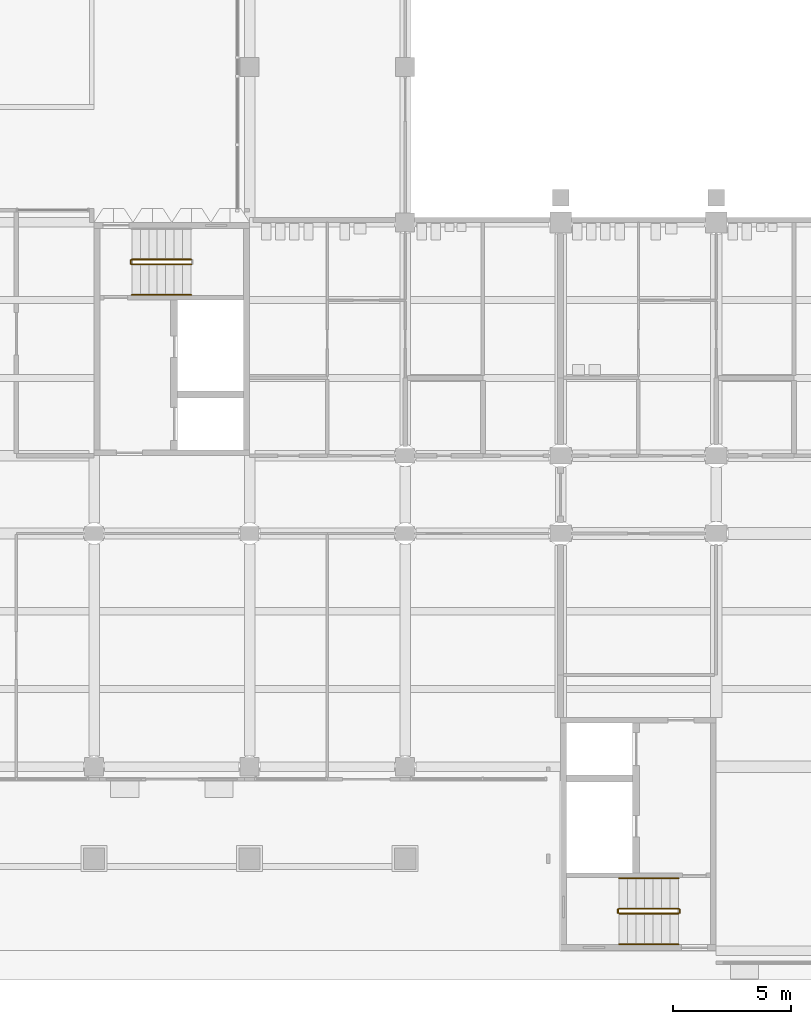
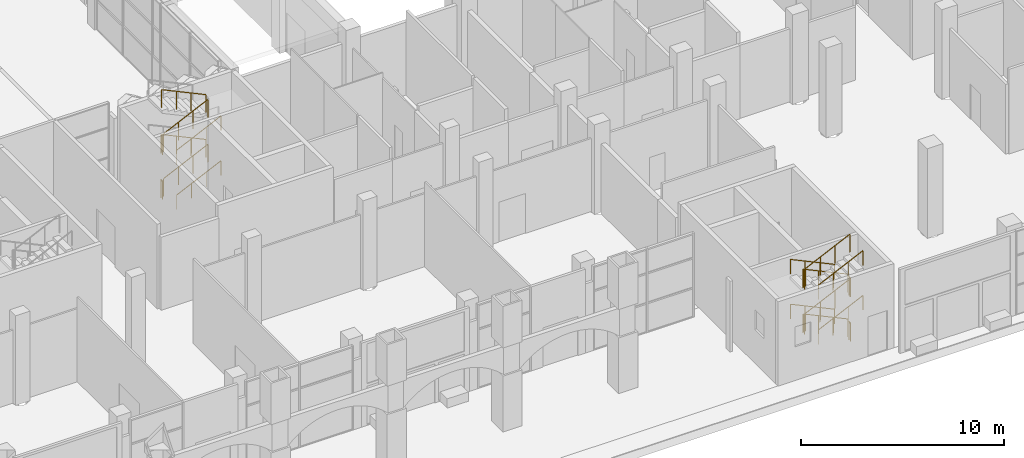
# One storey, part 50 of 85: 20 railings.
"""IFC4 building model written with IfcOpenShell, lengths in metres."""

from ifc_helpers import new_model, si_unit, direction, frame, origin, origin_2d, place, context, subcontext, project, spatial, circle, extrude, material, type_object, element, save


model = new_model("IFC4")

# Units and contexts
model_context = context("Model", 3, precision=1e-05, world=origin(), true_north=direction((0.0, 1.0)))
body_context = subcontext(model_context, "Body", "Model", "MODEL_VIEW")
ifc_project = project(units=[si_unit("LENGTHUNIT", "METRE"), si_unit("AREAUNIT", "SQUARE_METRE"), si_unit("VOLUMEUNIT", "CUBIC_METRE"), si_unit("PLANEANGLEUNIT", "RADIAN"), si_unit("MASSUNIT", "GRAM", prefix="KILO")], contexts=[model_context])

# Site, building, storey
site_placement = place(None, origin())
site = spatial("IfcSite", under=ifc_project, at=site_placement, CompositionType="ELEMENT")
building_placement = place(site_placement, origin())
building = spatial("IfcBuilding", under=site, at=building_placement, Name="Lantern Court Research Institute", CompositionType="ELEMENT")
storey_placement = place(building_placement, origin())
storey = spatial("IfcBuildingStorey", under=building, at=storey_placement, Name="L00", CompositionType="ELEMENT", Elevation=0.0)

# Railings
ifc_material_1 = material(Name="Structural steel S355", Category="steel")
railing_type_1 = type_object("IfcRailingType", Name="Stair guard 1100 steel", PredefinedType="GUARDRAIL", material=ifc_material_1)
railing_1_placement = place(storey_placement, frame((34.60009765625, 21.324951171875, 0.168701171875)))
element("IfcRailing", 1, at=railing_1_placement, inside=storey, type_object=railing_type_1, Name="L00 ST-B3 stair guard 1", PredefinedType="GUARDRAIL", context=body_context, shape_type="SweptSolid", body=[
    extrude(circle(Radius=0.02392578125, at=origin_2d()), frame((0.0, 0.0, 1.076171875), z_axis=(0.905439972488, 0.0, 0.424474329284), x_axis=(0.0, 1.0, 0.0)), (0.0, 0.0, 1.0), 2.783203125),
    extrude(circle(Radius=0.02099609375, at=origin_2d()), origin(), (0.0, 0.0, 1.0), 1.052001953125),
    extrude(circle(Radius=0.02099609375, at=origin_2d()), frame((0.840087890625, 0.0, 0.393798828125)), (0.0, 0.0, 1.0), 1.052001953125),
    extrude(circle(Radius=0.02099609375, at=origin_2d()), frame((1.679931640625, 0.0, 0.78759765625)), (0.0, 0.0, 1.0), 1.052001953125),
    extrude(circle(Radius=0.02099609375, at=origin_2d()), frame((2.52001953125, 0.0, 1.181396484375)), (0.0, 0.0, 1.0), 1.052001953125),
])
railing_2_placement = place(storey_placement, frame((37.1201171875, 21.52490234375, 1.518798828125)))
element("IfcRailing", 2, at=railing_2_placement, inside=storey, type_object=railing_type_1, Name="L00 ST-B3 stair guard 3", PredefinedType="GUARDRAIL", context=body_context, shape_type="SweptSolid", body=[
    extrude(circle(Radius=0.02392578125, at=origin_2d()), frame((0.0, 0.0, 1.076171875), z_axis=(-0.905473684625, 0.0, 0.424402410988), x_axis=(0.0, -1.0, 0.0)), (0.0, 0.0, 1.0), 2.783203125),
    extrude(circle(Radius=0.02099609375, at=origin_2d()), origin(), (0.0, 0.0, 1.0), 1.052001953125),
    extrude(circle(Radius=0.02099609375, at=origin_2d()), frame((-0.840087890625, 0.0, 0.393798828125)), (0.0, 0.0, 1.0), 1.052001953125),
    extrude(circle(Radius=0.02099609375, at=origin_2d()), frame((-1.679931640625, 0.0, 0.787353515625)), (0.0, 0.0, 1.0), 1.052001953125),
    extrude(circle(Radius=0.02099609375, at=origin_2d()), frame((-2.52001953125, 0.0, 1.18115234375)), (0.0, 0.0, 1.0), 1.052001953125),
])
railing_3_placement = place(storey_placement, frame((34.550048828125, 21.35009765625, 2.699951171875)))
element("IfcRailing", 3, at=railing_3_placement, inside=storey, type_object=railing_type_1, Name="L00 ST-B3 stair guard 4", PredefinedType="GUARDRAIL", context=body_context, shape_type="SweptSolid", body=[
    extrude(circle(Radius=0.02392578125, at=origin_2d()), frame((0.0, 0.0, 1.076171875), z_axis=(0.0, 1.0, 0.0), x_axis=(-1.0, 0.0, 0.0)), (0.0, 0.0, 1.0), 0.14990234375),
    extrude(circle(Radius=0.02099609375, at=origin_2d()), origin(), (0.0, 0.0, 1.0), 1.052001953125),
    extrude(circle(Radius=0.02099609375, at=origin_2d()), frame((0.0, 0.14990234375, 0.0)), (0.0, 0.0, 1.0), 1.052001953125),
])
railing_4_placement = place(storey_placement, frame((34.60009765625, 21.324951171875, 2.86865234375)))
element("IfcRailing", 4, at=railing_4_placement, inside=storey, type_object=railing_type_1, Name="L00 ST-B3 stair guard 5", PredefinedType="GUARDRAIL", context=body_context, shape_type="SweptSolid", body=[
    extrude(circle(Radius=0.02392578125, at=origin_2d()), frame((0.0, 0.0, 1.076171875), z_axis=(0.905439972488, 0.0, 0.424474329284), x_axis=(0.0, 1.0, 0.0)), (0.0, 0.0, 1.0), 2.783203125),
    extrude(circle(Radius=0.02099609375, at=origin_2d()), origin(), (0.0, 0.0, 1.0), 1.052001953125),
    extrude(circle(Radius=0.02099609375, at=origin_2d()), frame((0.840087890625, 0.0, 0.393798828125)), (0.0, 0.0, 1.0), 1.052001953125),
    extrude(circle(Radius=0.02099609375, at=origin_2d()), frame((1.679931640625, 0.0, 0.78759765625)), (0.0, 0.0, 1.0), 1.052001953125),
    extrude(circle(Radius=0.02099609375, at=origin_2d()), frame((2.52001953125, 0.0, 1.181396484375)), (0.0, 0.0, 1.0), 1.052001953125),
])
railing_5_placement = place(storey_placement, frame((37.1201171875, 21.52490234375, 4.21875)))
element("IfcRailing", 5, at=railing_5_placement, inside=storey, type_object=railing_type_1, Name="L00 ST-B3 stair guard 7", PredefinedType="GUARDRAIL", context=body_context, shape_type="SweptSolid", body=[
    extrude(circle(Radius=0.02392578125, at=origin_2d()), frame((0.0, 0.0, 1.076171875), z_axis=(-0.905473684625, 0.0, 0.424402410988), x_axis=(0.0, -1.0, 0.0)), (0.0, 0.0, 1.0), 2.783203125),
    extrude(circle(Radius=0.02099609375, at=origin_2d()), origin(), (0.0, 0.0, 1.0), 1.052001953125),
    extrude(circle(Radius=0.02099609375, at=origin_2d()), frame((-0.840087890625, 0.0, 0.393798828125)), (0.0, 0.0, 1.0), 1.052001953125),
    extrude(circle(Radius=0.02099609375, at=origin_2d()), frame((-1.679931640625, 0.0, 0.787353515625)), (0.0, 0.0, 1.0), 1.052001953125),
    extrude(circle(Radius=0.02099609375, at=origin_2d()), frame((-2.52001953125, 0.0, 1.18115234375)), (0.0, 0.0, 1.0), 1.052001953125),
])
railing_6_placement = place(storey_placement, frame((34.550048828125, 21.35009765625, 0.0)))
element("IfcRailing", 6, at=railing_6_placement, inside=storey, type_object=railing_type_1, Name="L00 ST-B3 stair guard 8", PredefinedType="GUARDRAIL", context=body_context, shape_type="SweptSolid", body=[
    extrude(circle(Radius=0.02392578125, at=origin_2d()), frame((0.0, 0.0, 1.076171875), z_axis=(0.0, 1.0, 0.0), x_axis=(-1.0, 0.0, 0.0)), (0.0, 0.0, 1.0), 0.14990234375),
    extrude(circle(Radius=0.02099609375, at=origin_2d()), origin(), (0.0, 0.0, 1.0), 1.052001953125),
    extrude(circle(Radius=0.02099609375, at=origin_2d()), frame((0.0, 0.14990234375, 0.0)), (0.0, 0.0, 1.0), 1.052001953125),
])
railing_7_placement = place(storey_placement, frame((57.800048828125, -6.02490234375, 0.168701171875)))
element("IfcRailing", 7, at=railing_7_placement, inside=storey, type_object=railing_type_1, Name="L00 ST-T1 stair guard 1", PredefinedType="GUARDRAIL", context=body_context, shape_type="SweptSolid", body=[
    extrude(circle(Radius=0.02392578125, at=origin_2d()), frame((0.0, 0.0, 1.076171875), z_axis=(-0.905439972488, 0.0, 0.424474329284), x_axis=(0.0, -1.0, 0.0)), (0.0, 0.0, 1.0), 2.783203125),
    extrude(circle(Radius=0.02099609375, at=origin_2d()), origin(), (0.0, 0.0, 1.0), 1.052001953125),
    extrude(circle(Radius=0.02099609375, at=origin_2d()), frame((-0.840087890625, 0.0, 0.393798828125)), (0.0, 0.0, 1.0), 1.052001953125),
    extrude(circle(Radius=0.02099609375, at=origin_2d()), frame((-1.679931640625, 0.0, 0.78759765625)), (0.0, 0.0, 1.0), 1.052001953125),
    extrude(circle(Radius=0.02099609375, at=origin_2d()), frame((-2.52001953125, 0.0, 1.181396484375)), (0.0, 0.0, 1.0), 1.052001953125),
])
railing_8_placement = place(storey_placement, frame((55.22998046875, -6.050048828125, 1.35009765625)))
element("IfcRailing", 8, at=railing_8_placement, inside=storey, type_object=railing_type_1, Name="L00 ST-T1 stair guard 2", PredefinedType="GUARDRAIL", context=body_context, shape_type="SweptSolid", body=[
    extrude(circle(Radius=0.02392578125, at=origin_2d()), frame((0.0, 0.0, 1.076171875), z_axis=(0.0, -1.0, 0.0), x_axis=(1.0, 0.0, 0.0)), (0.0, 0.0, 1.0), 0.14990234375),
    extrude(circle(Radius=0.02099609375, at=origin_2d()), origin(), (0.0, 0.0, 1.0), 1.052001953125),
    extrude(circle(Radius=0.02099609375, at=origin_2d()), frame((0.0, -0.14990234375, 0.0)), (0.0, 0.0, 1.0), 1.052001953125),
])
railing_9_placement = place(storey_placement, frame((55.280029296875, -6.22509765625, 1.518798828125)))
element("IfcRailing", 9, at=railing_9_placement, inside=storey, type_object=railing_type_1, Name="L00 ST-T1 stair guard 3", PredefinedType="GUARDRAIL", context=body_context, shape_type="SweptSolid", body=[
    extrude(circle(Radius=0.02392578125, at=origin_2d()), frame((0.0, 0.0, 1.076171875), z_axis=(0.905473684625, 0.0, 0.424402410988), x_axis=(0.0, 1.0, 0.0)), (0.0, 0.0, 1.0), 2.783203125),
    extrude(circle(Radius=0.02099609375, at=origin_2d()), origin(), (0.0, 0.0, 1.0), 1.052001953125),
    extrude(circle(Radius=0.02099609375, at=origin_2d()), frame((0.840087890625, 0.0, 0.393798828125)), (0.0, 0.0, 1.0), 1.052001953125),
    extrude(circle(Radius=0.02099609375, at=origin_2d()), frame((1.679931640625, 0.0, 0.787353515625)), (0.0, 0.0, 1.0), 1.052001953125),
    extrude(circle(Radius=0.02099609375, at=origin_2d()), frame((2.52001953125, 0.0, 1.18115234375)), (0.0, 0.0, 1.0), 1.052001953125),
])
railing_10_placement = place(storey_placement, frame((57.85009765625, -6.050048828125, 2.699951171875)))
element("IfcRailing", 10, at=railing_10_placement, inside=storey, type_object=railing_type_1, Name="L00 ST-T1 stair guard 4", PredefinedType="GUARDRAIL", context=body_context, shape_type="SweptSolid", body=[
    extrude(circle(Radius=0.02392578125, at=origin_2d()), frame((0.0, 0.0, 1.076171875), z_axis=(0.0, -1.0, 0.0), x_axis=(1.0, 0.0, 0.0)), (0.0, 0.0, 1.0), 0.14990234375),
    extrude(circle(Radius=0.02099609375, at=origin_2d()), origin(), (0.0, 0.0, 1.0), 1.052001953125),
    extrude(circle(Radius=0.02099609375, at=origin_2d()), frame((0.0, -0.14990234375, 0.0)), (0.0, 0.0, 1.0), 1.052001953125),
])
railing_11_placement = place(storey_placement, frame((57.800048828125, -6.02490234375, 2.86865234375)))
element("IfcRailing", 11, at=railing_11_placement, inside=storey, type_object=railing_type_1, Name="L00 ST-T1 stair guard 5", PredefinedType="GUARDRAIL", context=body_context, shape_type="SweptSolid", body=[
    extrude(circle(Radius=0.02392578125, at=origin_2d()), frame((0.0, 0.0, 1.076171875), z_axis=(-0.905439972488, 0.0, 0.424474329284), x_axis=(0.0, -1.0, 0.0)), (0.0, 0.0, 1.0), 2.783203125),
    extrude(circle(Radius=0.02099609375, at=origin_2d()), origin(), (0.0, 0.0, 1.0), 1.052001953125),
    extrude(circle(Radius=0.02099609375, at=origin_2d()), frame((-0.840087890625, 0.0, 0.393798828125)), (0.0, 0.0, 1.0), 1.052001953125),
    extrude(circle(Radius=0.02099609375, at=origin_2d()), frame((-1.679931640625, 0.0, 0.78759765625)), (0.0, 0.0, 1.0), 1.052001953125),
    extrude(circle(Radius=0.02099609375, at=origin_2d()), frame((-2.52001953125, 0.0, 1.181396484375)), (0.0, 0.0, 1.0), 1.052001953125),
])
railing_12_placement = place(storey_placement, frame((55.22998046875, -6.050048828125, 4.050048828125)))
element("IfcRailing", 12, at=railing_12_placement, inside=storey, type_object=railing_type_1, Name="L00 ST-T1 stair guard 6", PredefinedType="GUARDRAIL", context=body_context, shape_type="SweptSolid", body=[
    extrude(circle(Radius=0.02392578125, at=origin_2d()), frame((0.0, 0.0, 1.076171875), z_axis=(0.0, -1.0, 0.0), x_axis=(1.0, 0.0, 0.0)), (0.0, 0.0, 1.0), 0.14990234375),
    extrude(circle(Radius=0.02099609375, at=origin_2d()), origin(), (0.0, 0.0, 1.0), 1.052001953125),
    extrude(circle(Radius=0.02099609375, at=origin_2d()), frame((0.0, -0.14990234375, 0.0)), (0.0, 0.0, 1.0), 1.052001953125),
])
railing_13_placement = place(storey_placement, frame((55.280029296875, -6.22509765625, 4.21875)))
element("IfcRailing", 13, at=railing_13_placement, inside=storey, type_object=railing_type_1, Name="L00 ST-T1 stair guard 7", PredefinedType="GUARDRAIL", context=body_context, shape_type="SweptSolid", body=[
    extrude(circle(Radius=0.02392578125, at=origin_2d()), frame((0.0, 0.0, 1.076171875), z_axis=(0.905473684625, 0.0, 0.424402410988), x_axis=(0.0, 1.0, 0.0)), (0.0, 0.0, 1.0), 2.783203125),
    extrude(circle(Radius=0.02099609375, at=origin_2d()), origin(), (0.0, 0.0, 1.0), 1.052001953125),
    extrude(circle(Radius=0.02099609375, at=origin_2d()), frame((0.840087890625, 0.0, 0.393798828125)), (0.0, 0.0, 1.0), 1.052001953125),
    extrude(circle(Radius=0.02099609375, at=origin_2d()), frame((1.679931640625, 0.0, 0.787353515625)), (0.0, 0.0, 1.0), 1.052001953125),
    extrude(circle(Radius=0.02099609375, at=origin_2d()), frame((2.52001953125, 0.0, 1.18115234375)), (0.0, 0.0, 1.0), 1.052001953125),
])
railing_14_placement = place(storey_placement, frame((57.85009765625, -6.050048828125, 0.0)))
element("IfcRailing", 14, at=railing_14_placement, inside=storey, type_object=railing_type_1, Name="L00 ST-T1 stair guard 8", PredefinedType="GUARDRAIL", context=body_context, shape_type="SweptSolid", body=[
    extrude(circle(Radius=0.02392578125, at=origin_2d()), frame((0.0, 0.0, 1.076171875), z_axis=(0.0, -1.0, 0.0), x_axis=(1.0, 0.0, 0.0)), (0.0, 0.0, 1.0), 0.14990234375),
    extrude(circle(Radius=0.02099609375, at=origin_2d()), origin(), (0.0, 0.0, 1.0), 1.052001953125),
    extrude(circle(Radius=0.02099609375, at=origin_2d()), frame((0.0, -0.14990234375, 0.0)), (0.0, 0.0, 1.0), 1.052001953125),
])
ifc_material_2 = material(Name="Stainless steel 316", Category="steel")
railing_type_2 = type_object("IfcRailingType", Name="Stair handrail 900 steel", PredefinedType="HANDRAIL", material=ifc_material_2)
for number, where, name in (
    (15, (34.60009765625, 20.02490234375, 0.168701171875), "L00 ST-B3 stair handrail 1"),
    (16, (34.60009765625, 20.02490234375, 2.86865234375), "L00 ST-B3 stair handrail 3"),
):
    element("IfcRailing", number, at=place(storey_placement, frame(where)), inside=storey, type_object=railing_type_2, Name=name, PredefinedType="HANDRAIL", context=body_context, shape_type="SweptSolid", body=[
        extrude(circle(Radius=0.02392578125, at=origin_2d()), frame((0.0, 0.0, 0.8759765625), z_axis=(0.905439972488, 0.0, 0.424474329284), x_axis=(0.0, 1.0, 0.0)), (0.0, 0.0, 1.0), 2.783203125),
        extrude(circle(Radius=0.02099609375, at=origin_2d()), origin(), (0.0, 0.0, 1.0), 0.851806640625),
        extrude(circle(Radius=0.02099609375, at=origin_2d()), frame((0.840087890625, 0.0, 0.393798828125)), (0.0, 0.0, 1.0), 0.851806640625),
        extrude(circle(Radius=0.02099609375, at=origin_2d()), frame((1.679931640625, 0.0, 0.78759765625)), (0.0, 0.0, 1.0), 0.851806640625),
        extrude(circle(Radius=0.02099609375, at=origin_2d()), frame((2.52001953125, 0.0, 1.181396484375)), (0.0, 0.0, 1.0), 0.851806640625),
    ])
railing_15_placement = place(storey_placement, frame((57.800048828125, -4.72509765625, 0.168701171875)))
element("IfcRailing", 17, at=railing_15_placement, inside=storey, type_object=railing_type_2, Name="L00 ST-T1 stair handrail 1", PredefinedType="HANDRAIL", context=body_context, shape_type="SweptSolid", body=[
    extrude(circle(Radius=0.02392578125, at=origin_2d()), frame((0.0, 0.0, 0.8759765625), z_axis=(-0.905439972488, 0.0, 0.424474329284), x_axis=(0.0, -1.0, 0.0)), (0.0, 0.0, 1.0), 2.783203125),
    extrude(circle(Radius=0.02099609375, at=origin_2d()), origin(), (0.0, 0.0, 1.0), 0.851806640625),
    extrude(circle(Radius=0.02099609375, at=origin_2d()), frame((-0.840087890625, 0.0, 0.393798828125)), (0.0, 0.0, 1.0), 0.851806640625),
    extrude(circle(Radius=0.02099609375, at=origin_2d()), frame((-1.679931640625, 0.0, 0.78759765625)), (0.0, 0.0, 1.0), 0.851806640625),
    extrude(circle(Radius=0.02099609375, at=origin_2d()), frame((-2.52001953125, 0.0, 1.181396484375)), (0.0, 0.0, 1.0), 0.851806640625),
])
railing_16_placement = place(storey_placement, frame((55.280029296875, -7.52490234375, 1.518798828125)))
element("IfcRailing", 18, at=railing_16_placement, inside=storey, type_object=railing_type_2, Name="L00 ST-T1 stair handrail 2", PredefinedType="HANDRAIL", context=body_context, shape_type="SweptSolid", body=[
    extrude(circle(Radius=0.02392578125, at=origin_2d()), frame((0.0, 0.0, 0.8759765625), z_axis=(0.905473684625, 0.0, 0.424402410988), x_axis=(0.0, 1.0, 0.0)), (0.0, 0.0, 1.0), 2.783203125),
    extrude(circle(Radius=0.02099609375, at=origin_2d()), origin(), (0.0, 0.0, 1.0), 0.851806640625),
    extrude(circle(Radius=0.02099609375, at=origin_2d()), frame((0.840087890625, 0.0, 0.393798828125)), (0.0, 0.0, 1.0), 0.851806640625),
    extrude(circle(Radius=0.02099609375, at=origin_2d()), frame((1.679931640625, 0.0, 0.787353515625)), (0.0, 0.0, 1.0), 0.851806640625),
    extrude(circle(Radius=0.02099609375, at=origin_2d()), frame((2.52001953125, 0.0, 1.18115234375)), (0.0, 0.0, 1.0), 0.851806640625),
])
railing_17_placement = place(storey_placement, frame((57.800048828125, -4.72509765625, 2.86865234375)))
element("IfcRailing", 19, at=railing_17_placement, inside=storey, type_object=railing_type_2, Name="L00 ST-T1 stair handrail 3", PredefinedType="HANDRAIL", context=body_context, shape_type="SweptSolid", body=[
    extrude(circle(Radius=0.02392578125, at=origin_2d()), frame((0.0, 0.0, 0.8759765625), z_axis=(-0.905439972488, 0.0, 0.424474329284), x_axis=(0.0, -1.0, 0.0)), (0.0, 0.0, 1.0), 2.783203125),
    extrude(circle(Radius=0.02099609375, at=origin_2d()), origin(), (0.0, 0.0, 1.0), 0.851806640625),
    extrude(circle(Radius=0.02099609375, at=origin_2d()), frame((-0.840087890625, 0.0, 0.393798828125)), (0.0, 0.0, 1.0), 0.851806640625),
    extrude(circle(Radius=0.02099609375, at=origin_2d()), frame((-1.679931640625, 0.0, 0.78759765625)), (0.0, 0.0, 1.0), 0.851806640625),
    extrude(circle(Radius=0.02099609375, at=origin_2d()), frame((-2.52001953125, 0.0, 1.181396484375)), (0.0, 0.0, 1.0), 0.851806640625),
])
railing_18_placement = place(storey_placement, frame((55.280029296875, -7.52490234375, 4.21875)))
element("IfcRailing", 20, at=railing_18_placement, inside=storey, type_object=railing_type_2, Name="L00 ST-T1 stair handrail 4", PredefinedType="HANDRAIL", context=body_context, shape_type="SweptSolid", body=[
    extrude(circle(Radius=0.02392578125, at=origin_2d()), frame((0.0, 0.0, 0.8759765625), z_axis=(0.905473684625, 0.0, 0.424402410988), x_axis=(0.0, 1.0, 0.0)), (0.0, 0.0, 1.0), 2.783203125),
    extrude(circle(Radius=0.02099609375, at=origin_2d()), origin(), (0.0, 0.0, 1.0), 0.851806640625),
    extrude(circle(Radius=0.02099609375, at=origin_2d()), frame((0.840087890625, 0.0, 0.393798828125)), (0.0, 0.0, 1.0), 0.851806640625),
    extrude(circle(Radius=0.02099609375, at=origin_2d()), frame((1.679931640625, 0.0, 0.787353515625)), (0.0, 0.0, 1.0), 0.851806640625),
    extrude(circle(Radius=0.02099609375, at=origin_2d()), frame((2.52001953125, 0.0, 1.18115234375)), (0.0, 0.0, 1.0), 0.851806640625),
])

save(model, "model.ifc")
